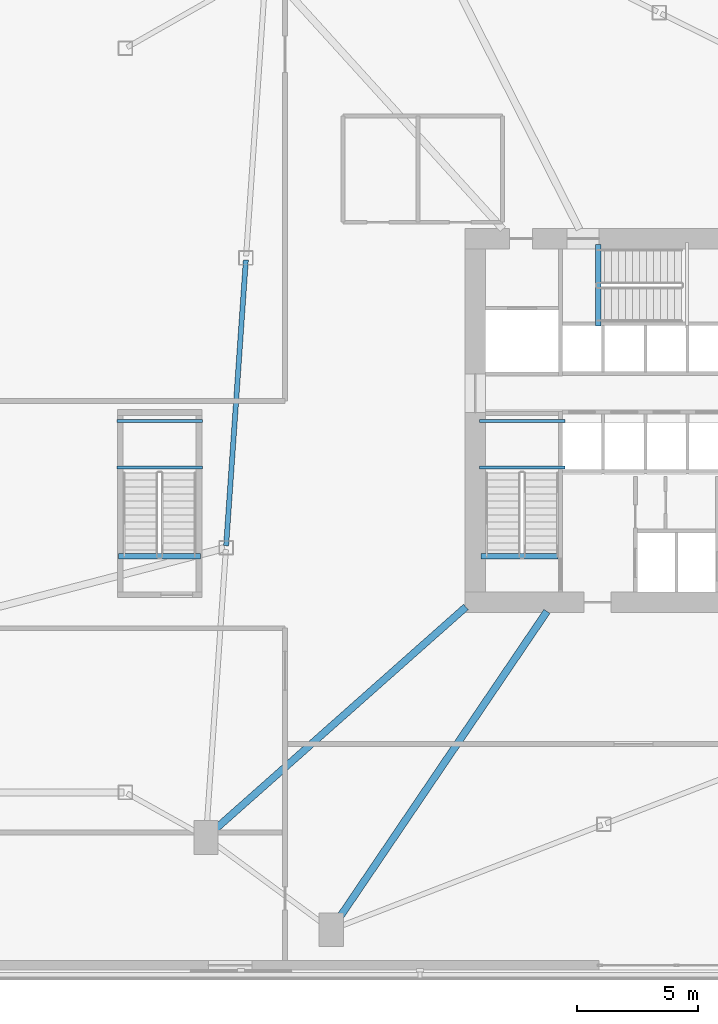
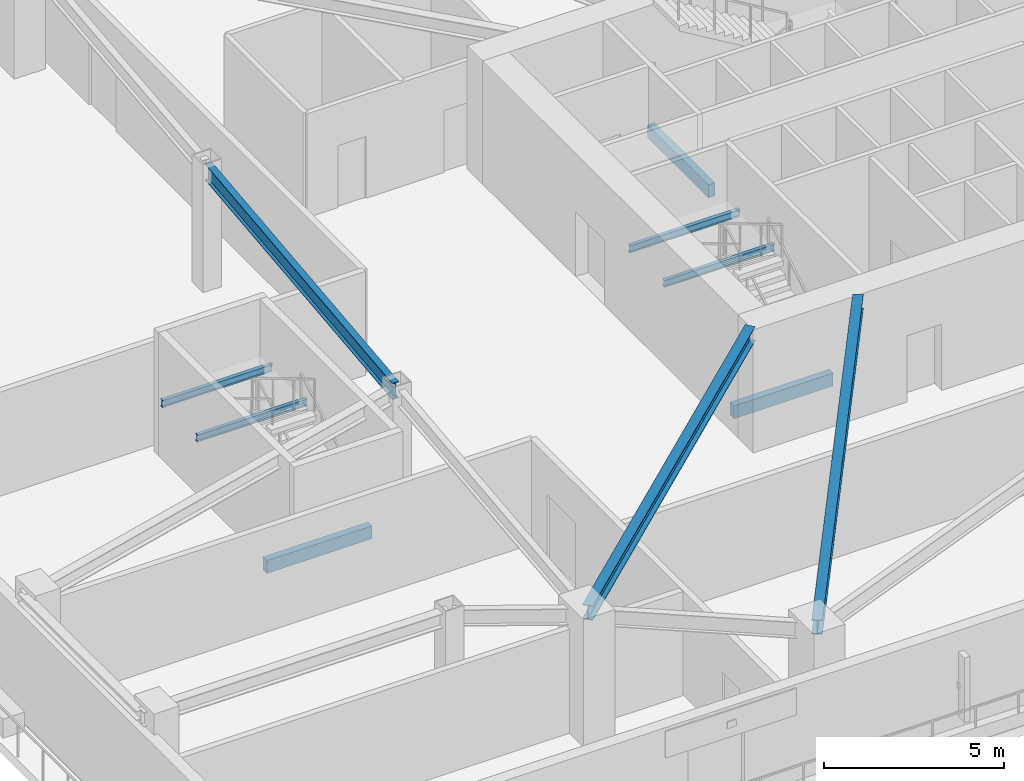
# One storey, part 3 of 16: 10 beams.
"""IFC4 building model written with IfcOpenShell, lengths in metres."""

from ifc_helpers import new_model, si_unit, direction, frame, origin, origin_2d, place, context, subcontext, project, spatial, rectangle, i_section, extrude, source, transform, mapped, material, material_profile, profile_set, type_object, element, save


model = new_model("IFC4")

# Units and contexts
model_context = context("Model", 3, precision=1e-05, world=origin(), true_north=direction((0.0, 1.0)))
body_context = subcontext(model_context, "Body", "Model", "MODEL_VIEW")
ifc_project = project(units=[si_unit("LENGTHUNIT", "METRE"), si_unit("AREAUNIT", "SQUARE_METRE"), si_unit("VOLUMEUNIT", "CUBIC_METRE"), si_unit("PLANEANGLEUNIT", "RADIAN"), si_unit("MASSUNIT", "GRAM", prefix="KILO")], contexts=[model_context])

# Site, building, storey
site_placement = place(None, origin())
site = spatial("IfcSite", under=ifc_project, at=site_placement, CompositionType="ELEMENT")
building_placement = place(site_placement, origin())
building = spatial("IfcBuilding", under=site, at=building_placement, Name="Olszyna Solenne Hotel", CompositionType="ELEMENT")
storey_placement = place(building_placement, frame((0.0, 0.0, 15.60009765625)))
storey = spatial("IfcBuildingStorey", under=building, at=storey_placement, Name="L03", CompositionType="ELEMENT", Elevation=15.60009765625)

# Beams
ifc_material_1 = material(Name="Steel S355J2", Category="steel")
ifc_material_profile_1 = material_profile(ifc_material_1, i_section(OverallWidth=0.300048828125, OverallDepth=0.489990234375, WebThickness=0.011962890625, FlangeThickness=0.02294921875, at=origin_2d()), Name="HEA 500", Category="load-bearing")
ifc_profile_set_1 = profile_set([ifc_material_profile_1], Name="Steel S355J2")
beam_type_1 = type_object("IfcBeamType", Name="BM-G1", PredefinedType="BEAM", material=ifc_profile_set_1)
shared_shape_1 = source(origin(), body_context, "Body", "SweptSolid", [
    extrude(i_section(OverallWidth=0.300048828125, OverallDepth=0.489990234375, WebThickness=0.011962890625, FlangeThickness=0.02294921875, at=origin_2d()), origin(), (0.0, 0.0, 1.0), 14.293701171875),
])
beam_1_placement = place(storey_placement, frame((18.591552734375, 9.394287109375, 3.934814453125), z_axis=(0.748292597606, 0.663368817754, 0.0), x_axis=(-0.663368817754, 0.748292597606, 0.0)))
element("IfcBeam", 1, at=beam_1_placement, inside=storey, type_object=beam_type_1, Name="Podium radial girder BM-G1 B-L03-0124", PredefinedType="BEAM", context=body_context, shape_type="MappedRepresentation", body=[
    mapped(shared_shape_1, transform((0.0, 0.0, 0.0), x_axis=(1.0, 0.0, 0.0), y_axis=(0.0, 1.0, 0.0), z_axis=(0.0, 0.0, 1.0), scale=1.0)),
])
shared_shape_2 = source(origin(), body_context, "Body", "SweptSolid", [
    extrude(i_section(OverallWidth=0.300048828125, OverallDepth=0.489990234375, WebThickness=0.011962890625, FlangeThickness=0.02294921875, at=origin_2d()), origin(), (0.0, 0.0, 1.0), 15.830810546875),
])
beam_2_placement = place(storey_placement, frame((23.75927734375, 5.58642578125, 3.934814453125), z_axis=(0.561001243255, 0.827814958228, 0.0), x_axis=(-0.827814958228, 0.561001243255, 0.0)))
element("IfcBeam", 2, at=beam_2_placement, inside=storey, type_object=beam_type_1, Name="Podium radial girder BM-G1 B-L03-0126", PredefinedType="BEAM", context=body_context, shape_type="MappedRepresentation", body=[
    mapped(shared_shape_2, transform((0.0, 0.0, 0.0), x_axis=(1.0, 0.0, 0.0), y_axis=(0.0, 1.0, 0.0), z_axis=(0.0, 0.0, 1.0), scale=1.0)),
])
ifc_material_profile_2 = material_profile(ifc_material_1, i_section(OverallWidth=0.2099609375, OverallDepth=0.550048828125, WebThickness=0.010986328125, FlangeThickness=0.01708984375, at=origin_2d()), Name="IPE 550", Category="load-bearing")
ifc_profile_set_2 = profile_set([ifc_material_profile_2], Name="Steel S355J2")
beam_type_2 = type_object("IfcBeamType", Name="BM-F2", PredefinedType="BEAM", material=ifc_profile_set_2)
shared_shape_3 = source(origin(), body_context, "Body", "SweptSolid", [
    extrude(i_section(OverallWidth=0.2099609375, OverallDepth=0.550048828125, WebThickness=0.010986328125, FlangeThickness=0.01708984375, at=origin_2d()), origin(), (0.0, 0.0, 1.0), 11.85791015625),
])
beam_3_placement = place(storey_placement, frame((20.181396484375, 33.240234375, 3.90478515625), z_axis=(-0.068869217947, -0.997625696752, 0.0), x_axis=(0.997625696752, -0.068869217947, 0.0)))
element("IfcBeam", 3, at=beam_3_placement, inside=storey, type_object=beam_type_2, Name="Podium ring girder BM-F2 BRG-L03-42", PredefinedType="BEAM", context=body_context, shape_type="MappedRepresentation", body=[
    mapped(shared_shape_3, transform((0.0, 0.0, 0.0), x_axis=(1.0, 0.0, 0.0), y_axis=(0.0, 1.0, 0.0), z_axis=(0.0, 0.0, 1.0), scale=1.0)),
])
ifc_material_profile_3 = material_profile(ifc_material_1, i_section(OverallWidth=0.1201171875, OverallDepth=0.239990234375, WebThickness=0.006103515625, FlangeThickness=0.009765625, at=origin_2d()), Name="IPE 240", Category="load-bearing")
ifc_profile_set_3 = profile_set([ifc_material_profile_3], Name="Steel S355J2")
beam_type_3 = type_object("IfcBeamType", Name="JS-03", PredefinedType="JOIST", material=ifc_profile_set_3)
shared_shape_4 = source(origin(), body_context, "Body", "SweptSolid", [
    extrude(i_section(OverallWidth=0.1201171875, OverallDepth=0.239990234375, WebThickness=0.006103515625, FlangeThickness=0.009765625, at=origin_2d()), origin(), (0.0, 0.0, 1.0), 3.539794921875),
])
for number, where, z_axis, x_axis, name in (
    (4, (33.3798828125, 24.64990234375, 1.9248046875), (-1.0, 0.0, 0.0), (0.0, -1.0, 0.0), "Stair landing support beam JS-03 SLB-ST1-0011"),
    (5, (33.3798828125, 26.580078125, 1.9248046875), (-1.0, 0.0, 0.0), (0.0, -1.0, 0.0), "Stair landing support beam JS-03 SLB-ST1-0012"),
    (6, (18.3798828125, 24.64990234375, 1.9248046875), (-1.0, 0.0, 0.0), (0.0, -1.0, 0.0), "Stair landing support beam JS-03 SLB-ST4-0724"),
    (7, (18.3798828125, 26.580078125, 1.9248046875), (-1.0, 0.0, 0.0), (0.0, -1.0, 0.0), "Stair landing support beam JS-03 SLB-ST4-0725"),
):
    element("IfcBeam", number, at=place(storey_placement, frame(where, z_axis=z_axis, x_axis=x_axis)), inside=storey, type_object=beam_type_3, Name=name, PredefinedType="JOIST", context=body_context, shape_type="MappedRepresentation", body=[
        mapped(shared_shape_4, transform((0.0, 0.0, 0.0), x_axis=(1.0, 0.0, 0.0), y_axis=(0.0, 1.0, 0.0), z_axis=(0.0, 0.0, 1.0), scale=1.0)),
    ])
ifc_material_2 = material(Name="Concrete C50/60", Category="concrete")
ifc_material_profile_4 = material_profile(ifc_material_2, rectangle(XDim=0.219970703125, YDim=0.43994140625, at=origin_2d()), Name="RC 220x440", Category="load-bearing")
ifc_profile_set_4 = profile_set([ifc_material_profile_4], Name="Concrete C50/60")
beam_type_4 = type_object("IfcBeamType", Name="BM-ST1", PredefinedType="BEAM", material=ifc_profile_set_4)
shared_shape_5 = source(origin(), body_context, "Body", "SweptSolid", [
    extrude(rectangle(XDim=0.219970703125, YDim=0.43994140625, at=origin_2d()), origin(), (0.0, 0.0, 1.0), 3.18017578125),
])
beam_4_placement = place(storey_placement, frame((33.10009765625, 20.97998046875, -0.205078125), z_axis=(-1.0, 0.0, 0.0), x_axis=(0.0, -1.0, 0.0)))
element("IfcBeam", 8, at=beam_4_placement, inside=storey, type_object=beam_type_4, Name="Concrete stair trimmer beam BM-ST1 SHB-ST1-0165", PredefinedType="BEAM", context=body_context, shape_type="MappedRepresentation", body=[
    mapped(shared_shape_5, transform((0.0, 0.0, 0.0), x_axis=(1.0, 0.0, 0.0), y_axis=(0.0, 1.0, 0.0), z_axis=(0.0, 0.0, 1.0), scale=1.0)),
])
shared_shape_6 = source(origin(), body_context, "Body", "SweptSolid", [
    extrude(rectangle(XDim=0.219970703125, YDim=0.43994140625, at=origin_2d()), origin(), (0.0, 0.0, 1.0), 3.3798828125),
])
beam_5_placement = place(storey_placement, frame((34.760009765625, 30.5, -0.205078125), z_axis=(0.0, 1.0, 0.0), x_axis=(-1.0, 0.0, 0.0)))
element("IfcBeam", 9, at=beam_5_placement, inside=storey, type_object=beam_type_4, Name="Concrete stair trimmer beam BM-ST1 SHB-ST3-0643", PredefinedType="BEAM", context=body_context, shape_type="MappedRepresentation", body=[
    mapped(shared_shape_6, transform((0.0, 0.0, 0.0), x_axis=(1.0, 0.0, 0.0), y_axis=(0.0, 1.0, 0.0), z_axis=(0.0, 0.0, 1.0), scale=1.0)),
])
shared_shape_7 = source(origin(), body_context, "Body", "SweptSolid", [
    extrude(rectangle(XDim=0.219970703125, YDim=0.43994140625, at=origin_2d()), origin(), (0.0, 0.0, 1.0), 3.380126953125),
])
beam_6_placement = place(storey_placement, frame((18.300048828125, 20.97998046875, -0.205078125), z_axis=(-1.0, 0.0, 0.0), x_axis=(0.0, -1.0, 0.0)))
element("IfcBeam", 10, at=beam_6_placement, inside=storey, type_object=beam_type_4, Name="Concrete stair trimmer beam BM-ST1 SHB-ST4-0729", PredefinedType="BEAM", context=body_context, shape_type="MappedRepresentation", body=[
    mapped(shared_shape_7, transform((0.0, 0.0, 0.0), x_axis=(1.0, 0.0, 0.0), y_axis=(0.0, 1.0, 0.0), z_axis=(0.0, 0.0, 1.0), scale=1.0)),
])

save(model, "model.ifc")
